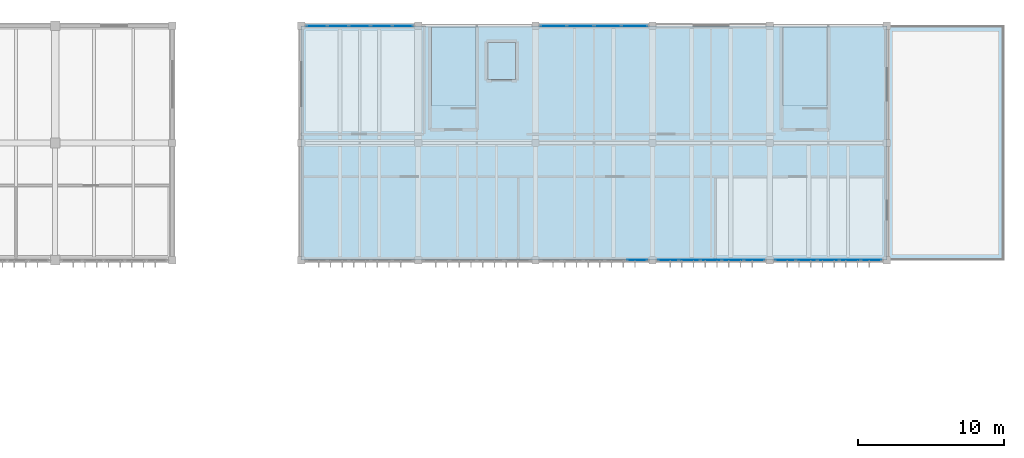
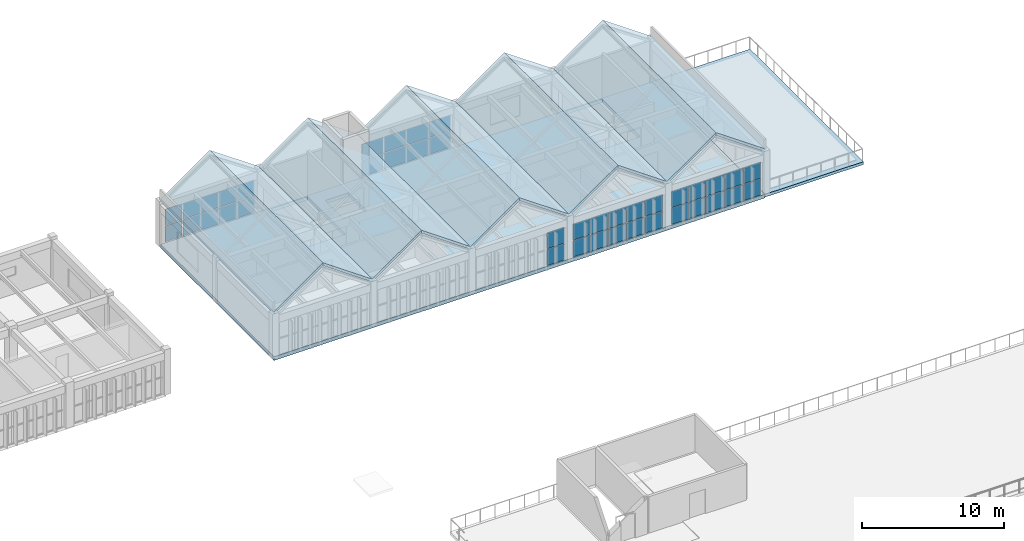
# One storey, part 18 of 31: 40 plates, 12 slabs, 5 elements without a shape of their own.
"""IFC4 building model written with IfcOpenShell, lengths in metres."""

import ifcopenshell
import ifcopenshell.guid

model = None  # the IFC model being written
_history = None  # IfcOwnerHistory: only IFC2X3 demands one
_inside = {}  # id of a spatial element -> (the spatial element, [elements in it])
_under = {}  # id of a project, library or spatial element -> (it, [spatial elements below it])
_declared = {}  # id of a project -> (the project, [libraries it declares])
_typed = {}  # id of a type object -> (the type object, [elements of that type])
_made_of = {}  # id of a material, layer set ... -> (it, [elements and type objects made of it])


def new_model(schema):
    """Start an empty IFC model of exactly this schema.

    Asked for "IFC4X3", IfcOpenShell would pick the latest addendum, in which some entities
    have other attributes; the version numbers below select the first issue.
    IFC2X3 requires an IfcOwnerHistory on every rooted entity: one is made here for all.
    """
    global model, _history
    if schema == "IFC4X3":
        model = ifcopenshell.file(schema_version=(4, 3, 0, 0))
    else:
        model = ifcopenshell.file(schema=schema)
    _inside.clear()
    _under.clear()
    _declared.clear()
    _typed.clear()
    _made_of.clear()
    _history = None
    if model.schema == "IFC2X3":
        org = make("IfcOrganization", Name="unknown")
        user = make(
            "IfcPersonAndOrganization",
            ThePerson=make("IfcPerson", FamilyName="unknown"),
            TheOrganization=org,
        )
        app = make(
            "IfcApplication",
            ApplicationDeveloper=org,
            Version="unknown",
            ApplicationFullName="unknown",
            ApplicationIdentifier="unknown",
        )
        _history = make(
            "IfcOwnerHistory",
            OwningUser=user,
            OwningApplication=app,
            ChangeAction="ADDED",
            CreationDate=0,
        )
    return model


def make(cls, **values):
    """One entity of the class cls with the attributes given. An attribute that is None is left unset."""
    return model.create_entity(
        cls, **{name: value for name, value in values.items() if value is not None}
    )


def rooted(cls, **values):
    """An entity with a GlobalId (a new one), such as an element, a storey or a relation."""
    return make(cls, GlobalId=ifcopenshell.guid.new(), OwnerHistory=_history, **values)


def si_unit(unit_type, name, prefix=None):
    """IfcSIUnit, for example si_unit("LENGTHUNIT", "METRE", prefix="MILLI")."""
    return make("IfcSIUnit", UnitType=unit_type, Prefix=prefix, Name=name)


def assignment(units):
    """IfcUnitAssignment: the units of a project."""
    return None if units is None else make("IfcUnitAssignment", Units=units)


def point(xyz):
    """IfcCartesianPoint."""
    return None if xyz is None else make("IfcCartesianPoint", Coordinates=xyz)


def direction(xyz):
    """IfcDirection."""
    return None if xyz is None else make("IfcDirection", DirectionRatios=xyz)


def frame(location, z_axis=None, x_axis=None):
    """IfcAxis2Placement3D, a coordinate frame: its origin and axes. An axis left out is left unset."""
    return make(
        "IfcAxis2Placement3D",
        Location=point(location),
        Axis=direction(z_axis),
        RefDirection=direction(x_axis),
    )


def frame_2d(location, x_axis=None):
    """IfcAxis2Placement2D, a coordinate frame in the plane: its origin and x axis."""
    return make(
        "IfcAxis2Placement2D", Location=point(location), RefDirection=direction(x_axis)
    )


def origin():
    """The frame at (0, 0, 0) with its axes left unset."""
    return frame((0.0, 0.0, 0.0))


def origin_2d():
    """The frame at (0, 0) in the plane with its x axis left unset."""
    return frame_2d((0.0, 0.0))


def place(relative_to, where):
    """IfcLocalPlacement: puts the frame where relative to a parent placement (None: the world)."""
    return make(
        "IfcLocalPlacement", PlacementRelTo=relative_to, RelativePlacement=where
    )


def context(
    kind, dimensions, precision=None, world=None, true_north=None, identifier=None
):
    """IfcGeometricRepresentationContext, for example the 3D "Model" context."""
    return make(
        "IfcGeometricRepresentationContext",
        ContextIdentifier=identifier,
        ContextType=kind,
        CoordinateSpaceDimension=dimensions,
        Precision=precision,
        WorldCoordinateSystem=world,
        TrueNorth=true_north,
    )


def subcontext(parent, identifier, kind, view, scale=None):
    """IfcGeometricRepresentationSubContext, for example "Body" below "Model"."""
    return make(
        "IfcGeometricRepresentationSubContext",
        ContextIdentifier=identifier,
        ContextType=kind,
        ParentContext=parent,
        TargetScale=scale,
        TargetView=view,
    )


def project(units=None, contexts=None):
    """IfcProject with its units and contexts."""
    return rooted(
        "IfcProject",
        Name="project",
        RepresentationContexts=contexts,
        UnitsInContext=assignment(units),
    )


def spatial(cls, under=None, at=None, **own):
    """A site, building, storey or space (cls), placed at a placement, below another one or the project."""
    s = rooted(cls, ObjectPlacement=at, **own)
    if under is not None:
        _under.setdefault(under.id(), (under, []))[1].append(s)
    return s


def polyline(points):
    """IfcPolyline through the points."""
    return make("IfcPolyline", Points=[point(p) for p in points])


def profile(cls, at=None, kind="AREA", **sizes):
    """A parametric profile (cls). Its sizes go by their IFC names, for example OverallWidth=200.0."""
    return make(cls, ProfileType=kind, Position=at, **sizes)


def rectangle(**sizes):
    """IfcRectangleProfileDef."""
    return profile("IfcRectangleProfileDef", **sizes)


def outline(outer, holes=None, kind="AREA"):
    """IfcArbitraryClosedProfileDef: a profile drawn as a closed curve; with holes, ...WithVoids."""
    if holes is None:
        return make("IfcArbitraryClosedProfileDef", ProfileType=kind, OuterCurve=outer)
    return make(
        "IfcArbitraryProfileDefWithVoids",
        ProfileType=kind,
        OuterCurve=outer,
        InnerCurves=holes,
    )


def extrude(swept, where, along, depth):
    """IfcExtrudedAreaSolid: the profile swept, set in the frame where, extruded along a direction by depth."""
    return make(
        "IfcExtrudedAreaSolid",
        SweptArea=swept,
        Position=where,
        ExtrudedDirection=direction(along),
        Depth=depth,
    )


def shape(context_of_items, identifier, shape_type, items):
    """IfcShapeRepresentation: the items that make up one representation, for example the "Body"."""
    return make(
        "IfcShapeRepresentation",
        ContextOfItems=context_of_items,
        RepresentationIdentifier=identifier,
        RepresentationType=shape_type,
        Items=items,
    )


def material(Name=None, Category=None):
    """IfcMaterial."""
    return make("IfcMaterial", Name=Name, Category=Category)


def layer(
    of_material, thickness, ventilated=None, Name=None, Category=None, Priority=None
):
    """IfcMaterialLayer: one layer of a wall or slab, of a material (None: an air gap)."""
    return make(
        "IfcMaterialLayer",
        Material=of_material,
        LayerThickness=thickness,
        IsVentilated=ventilated,
        Name=Name,
        Category=Category,
        Priority=Priority,
    )


def layer_set(layers, Name=None):
    """IfcMaterialLayerSet."""
    return make("IfcMaterialLayerSet", MaterialLayers=layers, LayerSetName=Name)


def made_of(thing, what):
    """Note that an element or type object is made of a material, layer set ...; save() writes the relation."""
    if what is not None:
        _made_of.setdefault(what.id(), (what, []))[1].append(thing)
    return thing


def type_object(cls, material=None, **own):
    """A type object (cls), such as IfcWallType, which elements share."""
    return made_of(rooted(cls, **own), material)


def element(
    cls,
    number,
    at=None,
    inside=None,
    cuts=None,
    type_object=None,
    material=None,
    context=None,
    identifier="Body",
    shape_type=None,
    held_by="IfcProductDefinitionShape",
    body=None,
    shapes=None,
    **own,
):
    """One element of the class cls, such as IfcWall. Its Tag is "e" and its number.

    at: its placement. inside: the storey or other place that contains it. cuts: it is an
    opening in that element (IfcRelVoidsElement). A single representation is given by context,
    identifier, shape_type and body (its items); several are given by shapes. held_by: the class
    of the entity that holds the representations. save() writes the other relations.
    """
    e = rooted(cls, Tag="e%d" % number, ObjectPlacement=at, **own)
    if body is not None:
        shapes = [shape(context, identifier, shape_type, body)]
    if shapes is not None:
        e.Representation = make(held_by, Representations=shapes)
    if inside is not None:
        _inside.setdefault(inside.id(), (inside, []))[1].append(e)
    if cuts is not None:
        rooted(
            "IfcRelVoidsElement", RelatingBuildingElement=cuts, RelatedOpeningElement=e
        )
    if type_object is not None:
        _typed.setdefault(type_object.id(), (type_object, []))[1].append(e)
    return made_of(e, material)


def aggregate(whole, parts):
    """IfcRelAggregates: a whole, such as a stair, and the parts it consists of."""
    return rooted("IfcRelAggregates", RelatingObject=whole, RelatedObjects=parts)


def save(model, path):
    """Write the relations noted so far, then the file.

    IfcRelAggregates (storeys below a building ...), IfcRelContainedInSpatialStructure (elements
    in a storey), IfcRelDefinesByType, IfcRelAssociatesMaterial and IfcRelDeclares: one each for
    every whole, place, type object, material and project.
    """
    for whole, parts in _under.values():
        aggregate(whole, parts)
    for where, things in _inside.values():
        rooted(
            "IfcRelContainedInSpatialStructure",
            RelatedElements=things,
            RelatingStructure=where,
        )
    for kind, things in _typed.values():
        rooted("IfcRelDefinesByType", RelatedObjects=things, RelatingType=kind)
    for what, things in _made_of.values():
        rooted("IfcRelAssociatesMaterial", RelatedObjects=things, RelatingMaterial=what)
    for by, libraries in _declared.values():
        rooted("IfcRelDeclares", RelatingContext=by, RelatedDefinitions=libraries)
    model.write(path)


model = new_model("IFC4")

# Units and contexts
model_context = context("Model", 3, precision=1e-05, world=origin(), true_north=direction((0.0, 1.0)))
body_context = subcontext(model_context, "Body", "Model", "MODEL_VIEW")
ifc_project = project(units=[si_unit("LENGTHUNIT", "METRE"), si_unit("AREAUNIT", "SQUARE_METRE"), si_unit("VOLUMEUNIT", "CUBIC_METRE"), si_unit("PLANEANGLEUNIT", "RADIAN"), si_unit("MASSUNIT", "GRAM", prefix="KILO")], contexts=[model_context])

# Site, building, storey
site_placement = place(None, origin())
site = spatial("IfcSite", under=ifc_project, at=site_placement, CompositionType="ELEMENT")
building_placement = place(site_placement, origin())
building = spatial("IfcBuilding", under=site, at=building_placement, Name="Tlaxcora Railside Police Headquarters", CompositionType="ELEMENT")
storey_placement = place(building_placement, frame((0.0, 0.0, 18.0)))
storey = spatial("IfcBuildingStorey", under=building, at=storey_placement, Name="L04", CompositionType="ELEMENT", Elevation=18.0)

# Curtain wall, plates
ifc_material_1 = material(Name="Thermally broken low-E insulated glazing", Category="glass")
curtain_wall_type_1 = type_object("IfcCurtainWallType", Name="Unitised Curtain Wall Assembly CW-23", PredefinedType="NOTDEFINED", material=ifc_material_1)
curtain_wall_1_placement = place(storey_placement, origin())
curtain_wall_1 = element("IfcCurtainWall", 1, at=curtain_wall_1_placement, inside=storey, type_object=curtain_wall_type_1, Name="V6 L04 curtain wall 172", PredefinedType="NOTDEFINED")
ifc_layer_1 = layer(ifc_material_1, 0.0400390625, Name="Thermally broken low-E insulated glazing")
ifc_layer_set_1 = layer_set([ifc_layer_1], Name="Thermally broken low-E insulated glazing")
plate_type_1 = type_object("IfcPlateType", Name="Curtain Wall Infill Panel CW-17", PredefinedType="CURTAIN_PANEL", material=ifc_layer_set_1)
plate_1_placement = place(storey_placement, frame((125.739990234375, 76.800048828125, 0.079833984375), z_axis=(0.0, 0.0, 1.0), x_axis=(1.0, 0.0, 0.0)))
plate_1 = element("IfcPlate", 2, at=plate_1_placement, type_object=plate_type_1, Name="CW panel 5.1", PredefinedType="CURTAIN_PANEL", context=body_context, shape_type="SweptSolid", body=[
    extrude(rectangle(XDim=1.360107421875, YDim=0.0400390625, at=origin_2d()), origin(), (0.0, 0.0, 1.0), 1.3701171875),
])
plate_2_placement = place(storey_placement, frame((125.739990234375, 76.800048828125, 1.530029296875), z_axis=(0.0, 0.0, 1.0), x_axis=(1.0, 0.0, 0.0)))
plate_2 = element("IfcPlate", 3, at=plate_2_placement, type_object=plate_type_1, Name="CW panel 5.2", PredefinedType="CURTAIN_PANEL", context=body_context, shape_type="SweptSolid", body=[
    extrude(rectangle(XDim=1.360107421875, YDim=0.0400390625, at=origin_2d()), origin(), (0.0, 0.0, 1.0), 1.35009765625),
])
aggregate(curtain_wall_1, [plate_1, plate_2])

curtain_wall_2_placement = place(storey_placement, origin())
curtain_wall_2 = element("IfcCurtainWall", 4, at=curtain_wall_2_placement, inside=storey, type_object=curtain_wall_type_1, Name="V6 L04 curtain wall 176", PredefinedType="NOTDEFINED")
plate_3_placement = place(storey_placement, frame((109.739990234375, 92.800048828125, 0.079833984375), z_axis=(0.0, 0.0, 1.0), x_axis=(-1.0, 0.0, 0.0)))
plate_3 = element("IfcPlate", 5, at=plate_3_placement, type_object=plate_type_1, Name="CW panel 1.1", PredefinedType="CURTAIN_PANEL", context=body_context, shape_type="SweptSolid", body=[
    extrude(rectangle(XDim=1.360107421875, YDim=0.0400390625, at=origin_2d()), origin(), (0.0, 0.0, 1.0), 1.3701171875),
])
plate_4_placement = place(storey_placement, frame((109.739990234375, 92.800048828125, 1.530029296875), z_axis=(0.0, 0.0, 1.0), x_axis=(-1.0, 0.0, 0.0)))
plate_4 = element("IfcPlate", 6, at=plate_4_placement, type_object=plate_type_1, Name="CW panel 1.2", PredefinedType="CURTAIN_PANEL", context=body_context, shape_type="SweptSolid", body=[
    extrude(rectangle(XDim=1.360107421875, YDim=0.0400390625, at=origin_2d()), origin(), (0.0, 0.0, 1.0), 1.35009765625),
])
plate_5_placement = place(storey_placement, frame((108.280029296875, 92.800048828125, 0.079833984375), z_axis=(0.0, 0.0, 1.0), x_axis=(-1.0, 0.0, 0.0)))
plate_5 = element("IfcPlate", 7, at=plate_5_placement, type_object=plate_type_1, Name="CW panel 2.1", PredefinedType="CURTAIN_PANEL", context=body_context, shape_type="SweptSolid", body=[
    extrude(rectangle(XDim=1.39990234375, YDim=0.0400390625, at=origin_2d()), origin(), (0.0, 0.0, 1.0), 1.3701171875),
])
plate_6_placement = place(storey_placement, frame((108.280029296875, 92.800048828125, 1.530029296875), z_axis=(0.0, 0.0, 1.0), x_axis=(-1.0, 0.0, 0.0)))
plate_6 = element("IfcPlate", 8, at=plate_6_placement, type_object=plate_type_1, Name="CW panel 2.2", PredefinedType="CURTAIN_PANEL", context=body_context, shape_type="SweptSolid", body=[
    extrude(rectangle(XDim=1.39990234375, YDim=0.0400390625, at=origin_2d()), origin(), (0.0, 0.0, 1.0), 1.35009765625),
])
plate_7_placement = place(storey_placement, frame((106.800048828125, 92.800048828125, 0.079833984375), z_axis=(0.0, 0.0, 1.0), x_axis=(-1.0, 0.0, 0.0)))
plate_7 = element("IfcPlate", 9, at=plate_7_placement, type_object=plate_type_1, Name="CW panel 3.1", PredefinedType="CURTAIN_PANEL", context=body_context, shape_type="SweptSolid", body=[
    extrude(rectangle(XDim=1.39990234375, YDim=0.0400390625, at=origin_2d()), origin(), (0.0, 0.0, 1.0), 1.3701171875),
])
plate_8_placement = place(storey_placement, frame((106.800048828125, 92.800048828125, 1.530029296875), z_axis=(0.0, 0.0, 1.0), x_axis=(-1.0, 0.0, 0.0)))
plate_8 = element("IfcPlate", 10, at=plate_8_placement, type_object=plate_type_1, Name="CW panel 3.2", PredefinedType="CURTAIN_PANEL", context=body_context, shape_type="SweptSolid", body=[
    extrude(rectangle(XDim=1.39990234375, YDim=0.0400390625, at=origin_2d()), origin(), (0.0, 0.0, 1.0), 1.35009765625),
])
plate_9_placement = place(storey_placement, frame((105.320068359375, 92.800048828125, 0.079833984375), z_axis=(0.0, 0.0, 1.0), x_axis=(-1.0, 0.0, 0.0)))
plate_9 = element("IfcPlate", 11, at=plate_9_placement, type_object=plate_type_1, Name="CW panel 4.1", PredefinedType="CURTAIN_PANEL", context=body_context, shape_type="SweptSolid", body=[
    extrude(rectangle(XDim=1.39990234375, YDim=0.0400390625, at=origin_2d()), origin(), (0.0, 0.0, 1.0), 1.3701171875),
])
plate_10_placement = place(storey_placement, frame((105.320068359375, 92.800048828125, 1.530029296875), z_axis=(0.0, 0.0, 1.0), x_axis=(-1.0, 0.0, 0.0)))
plate_10 = element("IfcPlate", 12, at=plate_10_placement, type_object=plate_type_1, Name="CW panel 4.2", PredefinedType="CURTAIN_PANEL", context=body_context, shape_type="SweptSolid", body=[
    extrude(rectangle(XDim=1.39990234375, YDim=0.0400390625, at=origin_2d()), origin(), (0.0, 0.0, 1.0), 1.35009765625),
])
plate_11_placement = place(storey_placement, frame((103.860107421875, 92.800048828125, 0.079833984375), z_axis=(0.0, 0.0, 1.0), x_axis=(-1.0, 0.0, 0.0)))
plate_11 = element("IfcPlate", 13, at=plate_11_placement, type_object=plate_type_1, Name="CW panel 5.1", PredefinedType="CURTAIN_PANEL", context=body_context, shape_type="SweptSolid", body=[
    extrude(rectangle(XDim=1.360107421875, YDim=0.0400390625, at=origin_2d()), origin(), (0.0, 0.0, 1.0), 1.3701171875),
])
plate_12_placement = place(storey_placement, frame((103.860107421875, 92.800048828125, 1.530029296875), z_axis=(0.0, 0.0, 1.0), x_axis=(-1.0, 0.0, 0.0)))
plate_12 = element("IfcPlate", 14, at=plate_12_placement, type_object=plate_type_1, Name="CW panel 5.2", PredefinedType="CURTAIN_PANEL", context=body_context, shape_type="SweptSolid", body=[
    extrude(rectangle(XDim=1.360107421875, YDim=0.0400390625, at=origin_2d()), origin(), (0.0, 0.0, 1.0), 1.35009765625),
])
aggregate(curtain_wall_2, [plate_3, plate_4, plate_5, plate_6, plate_7, plate_8, plate_9, plate_10, plate_11, plate_12])

curtain_wall_type_2 = type_object("IfcCurtainWallType", Name="Unitised Curtain Wall Assembly CW-15", PredefinedType="NOTDEFINED", material=ifc_material_1)
curtain_wall_3_placement = place(storey_placement, origin())
curtain_wall_3 = element("IfcCurtainWall", 15, at=curtain_wall_3_placement, inside=storey, type_object=curtain_wall_type_2, Name="V6 L04 curtain wall 174", PredefinedType="NOTDEFINED")
ifc_layer_2 = layer(ifc_material_1, 0.031982421875, Name="Thermally broken low-E insulated glazing")
ifc_layer_set_2 = layer_set([ifc_layer_2], Name="Thermally broken low-E insulated glazing")
plate_type_2 = type_object("IfcPlateType", Name="Curtain Wall Infill Panel CW-41", PredefinedType="CURTAIN_PANEL", material=ifc_layer_set_2)
plate_13_placement = place(storey_placement, frame((135.858642578125, 76.800048828125, 0.074951171875), z_axis=(0.0, 0.0, 1.0), x_axis=(1.0, 0.0, 0.0)))
plate_13 = element("IfcPlate", 16, at=plate_13_placement, type_object=plate_type_2, Name="CW panel 1.1", PredefinedType="CURTAIN_PANEL", context=body_context, shape_type="SweptSolid", body=[
    extrude(rectangle(XDim=1.367431640625, YDim=0.031982421875, at=origin_2d()), origin(), (0.0, 0.0, 1.0), 1.37744140625),
])
plate_14_placement = place(storey_placement, frame((135.858642578125, 76.800048828125, 1.527587890625), z_axis=(0.0, 0.0, 1.0), x_axis=(1.0, 0.0, 0.0)))
plate_14 = element("IfcPlate", 17, at=plate_14_placement, type_object=plate_type_2, Name="CW panel 1.2", PredefinedType="CURTAIN_PANEL", context=body_context, shape_type="SweptSolid", body=[
    extrude(rectangle(XDim=1.367431640625, YDim=0.031982421875, at=origin_2d()), origin(), (0.0, 0.0, 1.0), 1.357421875),
])
plate_15_placement = place(storey_placement, frame((137.320068359375, 76.800048828125, 0.074951171875), z_axis=(0.0, 0.0, 1.0), x_axis=(1.0, 0.0, 0.0)))
plate_15 = element("IfcPlate", 18, at=plate_15_placement, type_object=plate_type_2, Name="CW panel 2.1", PredefinedType="CURTAIN_PANEL", context=body_context, shape_type="SweptSolid", body=[
    extrude(rectangle(XDim=1.405029296875, YDim=0.031982421875, at=origin_2d()), origin(), (0.0, 0.0, 1.0), 1.37744140625),
])
plate_16_placement = place(storey_placement, frame((137.320068359375, 76.800048828125, 1.527587890625), z_axis=(0.0, 0.0, 1.0), x_axis=(1.0, 0.0, 0.0)))
plate_16 = element("IfcPlate", 19, at=plate_16_placement, type_object=plate_type_2, Name="CW panel 2.2", PredefinedType="CURTAIN_PANEL", context=body_context, shape_type="SweptSolid", body=[
    extrude(rectangle(XDim=1.405029296875, YDim=0.031982421875, at=origin_2d()), origin(), (0.0, 0.0, 1.0), 1.357421875),
])
plate_17_placement = place(storey_placement, frame((138.800048828125, 76.800048828125, 0.074951171875), z_axis=(0.0, 0.0, 1.0), x_axis=(1.0, 0.0, 0.0)))
plate_17 = element("IfcPlate", 20, at=plate_17_placement, type_object=plate_type_2, Name="CW panel 3.1", PredefinedType="CURTAIN_PANEL", context=body_context, shape_type="SweptSolid", body=[
    extrude(rectangle(XDim=1.405029296875, YDim=0.031982421875, at=origin_2d()), origin(), (0.0, 0.0, 1.0), 1.37744140625),
])
plate_18_placement = place(storey_placement, frame((138.800048828125, 76.800048828125, 1.527587890625), z_axis=(0.0, 0.0, 1.0), x_axis=(1.0, 0.0, 0.0)))
plate_18 = element("IfcPlate", 21, at=plate_18_placement, type_object=plate_type_2, Name="CW panel 3.2", PredefinedType="CURTAIN_PANEL", context=body_context, shape_type="SweptSolid", body=[
    extrude(rectangle(XDim=1.405029296875, YDim=0.031982421875, at=origin_2d()), origin(), (0.0, 0.0, 1.0), 1.357421875),
])
plate_19_placement = place(storey_placement, frame((140.280029296875, 76.800048828125, 0.074951171875), z_axis=(0.0, 0.0, 1.0), x_axis=(1.0, 0.0, 0.0)))
plate_19 = element("IfcPlate", 22, at=plate_19_placement, type_object=plate_type_2, Name="CW panel 4.1", PredefinedType="CURTAIN_PANEL", context=body_context, shape_type="SweptSolid", body=[
    extrude(rectangle(XDim=1.405029296875, YDim=0.031982421875, at=origin_2d()), origin(), (0.0, 0.0, 1.0), 1.37744140625),
])
plate_20_placement = place(storey_placement, frame((140.280029296875, 76.800048828125, 1.527587890625), z_axis=(0.0, 0.0, 1.0), x_axis=(1.0, 0.0, 0.0)))
plate_20 = element("IfcPlate", 23, at=plate_20_placement, type_object=plate_type_2, Name="CW panel 4.2", PredefinedType="CURTAIN_PANEL", context=body_context, shape_type="SweptSolid", body=[
    extrude(rectangle(XDim=1.405029296875, YDim=0.031982421875, at=origin_2d()), origin(), (0.0, 0.0, 1.0), 1.357421875),
])
plate_21_placement = place(storey_placement, frame((141.7412109375, 76.800048828125, 0.074951171875), z_axis=(0.0, 0.0, 1.0), x_axis=(1.0, 0.0, 0.0)))
plate_21 = element("IfcPlate", 24, at=plate_21_placement, type_object=plate_type_2, Name="CW panel 5.1", PredefinedType="CURTAIN_PANEL", context=body_context, shape_type="SweptSolid", body=[
    extrude(rectangle(XDim=1.367431640625, YDim=0.031982421875, at=origin_2d()), origin(), (0.0, 0.0, 1.0), 1.37744140625),
])
plate_22_placement = place(storey_placement, frame((141.7412109375, 76.800048828125, 1.527587890625), z_axis=(0.0, 0.0, 1.0), x_axis=(1.0, 0.0, 0.0)))
plate_22 = element("IfcPlate", 25, at=plate_22_placement, type_object=plate_type_2, Name="CW panel 5.2", PredefinedType="CURTAIN_PANEL", context=body_context, shape_type="SweptSolid", body=[
    extrude(rectangle(XDim=1.367431640625, YDim=0.031982421875, at=origin_2d()), origin(), (0.0, 0.0, 1.0), 1.357421875),
])
aggregate(curtain_wall_3, [plate_13, plate_14, plate_15, plate_16, plate_17, plate_18, plate_19, plate_20, plate_21, plate_22])

curtain_wall_type_3 = type_object("IfcCurtainWallType", Name="Unitised Curtain Wall Assembly CW-83", PredefinedType="NOTDEFINED", material=ifc_material_1)
curtain_wall_4_placement = place(storey_placement, origin())
curtain_wall_4 = element("IfcCurtainWall", 26, at=curtain_wall_4_placement, inside=storey, type_object=curtain_wall_type_3, Name="V6 L04 curtain wall 175", PredefinedType="NOTDEFINED")
ifc_layer_3 = layer(ifc_material_1, 0.035888671875, Name="Thermally broken low-E insulated glazing")
ifc_layer_set_3 = layer_set([ifc_layer_3], Name="Thermally broken low-E insulated glazing")
plate_type_3 = type_object("IfcPlateType", Name="Curtain Wall Infill Panel CW-72", PredefinedType="CURTAIN_PANEL", material=ifc_layer_set_3)
plate_23_placement = place(storey_placement, frame((125.554931640625, 92.800048828125, 0.079833984375), z_axis=(0.0, 0.0, 1.0), x_axis=(-1.0, 0.0, 0.0)))
plate_23 = element("IfcPlate", 27, at=plate_23_placement, type_object=plate_type_3, Name="CW panel 1.1", PredefinedType="CURTAIN_PANEL", context=body_context, shape_type="SweptSolid", body=[
    extrude(rectangle(XDim=1.72998046875, YDim=0.035888671875, at=origin_2d()), origin(), (0.0, 0.0, 1.0), 1.3701171875),
])
plate_24_placement = place(storey_placement, frame((125.554931640625, 92.800048828125, 1.530029296875), z_axis=(0.0, 0.0, 1.0), x_axis=(-1.0, 0.0, 0.0)))
plate_24 = element("IfcPlate", 28, at=plate_24_placement, type_object=plate_type_3, Name="CW panel 1.2", PredefinedType="CURTAIN_PANEL", context=body_context, shape_type="SweptSolid", body=[
    extrude(rectangle(XDim=1.72998046875, YDim=0.035888671875, at=origin_2d()), origin(), (0.0, 0.0, 1.0), 1.35009765625),
])
plate_25_placement = place(storey_placement, frame((123.72509765625, 92.800048828125, 0.079833984375), z_axis=(0.0, 0.0, 1.0), x_axis=(-1.0, 0.0, 0.0)))
plate_25 = element("IfcPlate", 29, at=plate_25_placement, type_object=plate_type_3, Name="CW panel 2.1", PredefinedType="CURTAIN_PANEL", context=body_context, shape_type="SweptSolid", body=[
    extrude(rectangle(XDim=1.77001953125, YDim=0.035888671875, at=origin_2d()), origin(), (0.0, 0.0, 1.0), 1.3701171875),
])
plate_26_placement = place(storey_placement, frame((123.72509765625, 92.800048828125, 1.530029296875), z_axis=(0.0, 0.0, 1.0), x_axis=(-1.0, 0.0, 0.0)))
plate_26 = element("IfcPlate", 30, at=plate_26_placement, type_object=plate_type_3, Name="CW panel 2.2", PredefinedType="CURTAIN_PANEL", context=body_context, shape_type="SweptSolid", body=[
    extrude(rectangle(XDim=1.77001953125, YDim=0.035888671875, at=origin_2d()), origin(), (0.0, 0.0, 1.0), 1.35009765625),
])
plate_27_placement = place(storey_placement, frame((121.875, 92.800048828125, 0.079833984375), z_axis=(0.0, 0.0, 1.0), x_axis=(-1.0, 0.0, 0.0)))
plate_27 = element("IfcPlate", 31, at=plate_27_placement, type_object=plate_type_3, Name="CW panel 3.1", PredefinedType="CURTAIN_PANEL", context=body_context, shape_type="SweptSolid", body=[
    extrude(rectangle(XDim=1.77001953125, YDim=0.035888671875, at=origin_2d()), origin(), (0.0, 0.0, 1.0), 1.3701171875),
])
plate_28_placement = place(storey_placement, frame((121.875, 92.800048828125, 1.530029296875), z_axis=(0.0, 0.0, 1.0), x_axis=(-1.0, 0.0, 0.0)))
plate_28 = element("IfcPlate", 32, at=plate_28_placement, type_object=plate_type_3, Name="CW panel 3.2", PredefinedType="CURTAIN_PANEL", context=body_context, shape_type="SweptSolid", body=[
    extrude(rectangle(XDim=1.77001953125, YDim=0.035888671875, at=origin_2d()), origin(), (0.0, 0.0, 1.0), 1.35009765625),
])
plate_29_placement = place(storey_placement, frame((120.044921875, 92.800048828125, 0.079833984375), z_axis=(0.0, 0.0, 1.0), x_axis=(-1.0, 0.0, 0.0)))
plate_29 = element("IfcPlate", 33, at=plate_29_placement, type_object=plate_type_3, Name="CW panel 4.1", PredefinedType="CURTAIN_PANEL", context=body_context, shape_type="SweptSolid", body=[
    extrude(rectangle(XDim=1.72998046875, YDim=0.035888671875, at=origin_2d()), origin(), (0.0, 0.0, 1.0), 1.3701171875),
])
plate_30_placement = place(storey_placement, frame((120.044921875, 92.800048828125, 1.530029296875), z_axis=(0.0, 0.0, 1.0), x_axis=(-1.0, 0.0, 0.0)))
plate_30 = element("IfcPlate", 34, at=plate_30_placement, type_object=plate_type_3, Name="CW panel 4.2", PredefinedType="CURTAIN_PANEL", context=body_context, shape_type="SweptSolid", body=[
    extrude(rectangle(XDim=1.72998046875, YDim=0.035888671875, at=origin_2d()), origin(), (0.0, 0.0, 1.0), 1.35009765625),
])
aggregate(curtain_wall_4, [plate_23, plate_24, plate_25, plate_26, plate_27, plate_28, plate_29, plate_30])

curtain_wall_type_4 = type_object("IfcCurtainWallType", Name="Unitised Curtain Wall Assembly CW-38", PredefinedType="NOTDEFINED", material=ifc_material_1)
curtain_wall_5_placement = place(storey_placement, origin())
curtain_wall_5 = element("IfcCurtainWall", 35, at=curtain_wall_5_placement, inside=storey, type_object=curtain_wall_type_4, Name="V6 L04 curtain wall 173", PredefinedType="NOTDEFINED")
ifc_layer_4 = layer(ifc_material_1, 0.028076171875, Name="Thermally broken low-E insulated glazing")
ifc_layer_set_4 = layer_set([ifc_layer_4], Name="Thermally broken low-E insulated glazing")
plate_type_4 = type_object("IfcPlateType", Name="Curtain Wall Infill Panel CW-92", PredefinedType="CURTAIN_PANEL", material=ifc_layer_set_4)
plate_31_placement = place(storey_placement, frame((127.858642578125, 76.800048828125, 0.074951171875), z_axis=(0.0, 0.0, 1.0), x_axis=(1.0, 0.0, 0.0)))
plate_31 = element("IfcPlate", 36, at=plate_31_placement, type_object=plate_type_4, Name="CW panel 1.1", PredefinedType="CURTAIN_PANEL", context=body_context, shape_type="SweptSolid", body=[
    extrude(rectangle(XDim=1.367431640625, YDim=0.028076171875, at=origin_2d()), origin(), (0.0, 0.0, 1.0), 1.37744140625),
])
plate_32_placement = place(storey_placement, frame((127.858642578125, 76.800048828125, 1.527587890625), z_axis=(0.0, 0.0, 1.0), x_axis=(1.0, 0.0, 0.0)))
plate_32 = element("IfcPlate", 37, at=plate_32_placement, type_object=plate_type_4, Name="CW panel 1.2", PredefinedType="CURTAIN_PANEL", context=body_context, shape_type="SweptSolid", body=[
    extrude(rectangle(XDim=1.367431640625, YDim=0.028076171875, at=origin_2d()), origin(), (0.0, 0.0, 1.0), 1.357421875),
])
plate_33_placement = place(storey_placement, frame((129.320068359375, 76.800048828125, 0.074951171875), z_axis=(0.0, 0.0, 1.0), x_axis=(1.0, 0.0, 0.0)))
plate_33 = element("IfcPlate", 38, at=plate_33_placement, type_object=plate_type_4, Name="CW panel 2.1", PredefinedType="CURTAIN_PANEL", context=body_context, shape_type="SweptSolid", body=[
    extrude(rectangle(XDim=1.405029296875, YDim=0.028076171875, at=origin_2d()), origin(), (0.0, 0.0, 1.0), 1.37744140625),
])
plate_34_placement = place(storey_placement, frame((129.320068359375, 76.800048828125, 1.527587890625), z_axis=(0.0, 0.0, 1.0), x_axis=(1.0, 0.0, 0.0)))
plate_34 = element("IfcPlate", 39, at=plate_34_placement, type_object=plate_type_4, Name="CW panel 2.2", PredefinedType="CURTAIN_PANEL", context=body_context, shape_type="SweptSolid", body=[
    extrude(rectangle(XDim=1.405029296875, YDim=0.028076171875, at=origin_2d()), origin(), (0.0, 0.0, 1.0), 1.357421875),
])
plate_35_placement = place(storey_placement, frame((130.800048828125, 76.800048828125, 0.074951171875), z_axis=(0.0, 0.0, 1.0), x_axis=(1.0, 0.0, 0.0)))
plate_35 = element("IfcPlate", 40, at=plate_35_placement, type_object=plate_type_4, Name="CW panel 3.1", PredefinedType="CURTAIN_PANEL", context=body_context, shape_type="SweptSolid", body=[
    extrude(rectangle(XDim=1.405029296875, YDim=0.028076171875, at=origin_2d()), origin(), (0.0, 0.0, 1.0), 1.37744140625),
])
plate_36_placement = place(storey_placement, frame((130.800048828125, 76.800048828125, 1.527587890625), z_axis=(0.0, 0.0, 1.0), x_axis=(1.0, 0.0, 0.0)))
plate_36 = element("IfcPlate", 41, at=plate_36_placement, type_object=plate_type_4, Name="CW panel 3.2", PredefinedType="CURTAIN_PANEL", context=body_context, shape_type="SweptSolid", body=[
    extrude(rectangle(XDim=1.405029296875, YDim=0.028076171875, at=origin_2d()), origin(), (0.0, 0.0, 1.0), 1.357421875),
])
plate_37_placement = place(storey_placement, frame((132.280029296875, 76.800048828125, 0.074951171875), z_axis=(0.0, 0.0, 1.0), x_axis=(1.0, 0.0, 0.0)))
plate_37 = element("IfcPlate", 42, at=plate_37_placement, type_object=plate_type_4, Name="CW panel 4.1", PredefinedType="CURTAIN_PANEL", context=body_context, shape_type="SweptSolid", body=[
    extrude(rectangle(XDim=1.405029296875, YDim=0.028076171875, at=origin_2d()), origin(), (0.0, 0.0, 1.0), 1.37744140625),
])
plate_38_placement = place(storey_placement, frame((132.280029296875, 76.800048828125, 1.527587890625), z_axis=(0.0, 0.0, 1.0), x_axis=(1.0, 0.0, 0.0)))
plate_38 = element("IfcPlate", 43, at=plate_38_placement, type_object=plate_type_4, Name="CW panel 4.2", PredefinedType="CURTAIN_PANEL", context=body_context, shape_type="SweptSolid", body=[
    extrude(rectangle(XDim=1.405029296875, YDim=0.028076171875, at=origin_2d()), origin(), (0.0, 0.0, 1.0), 1.357421875),
])
plate_39_placement = place(storey_placement, frame((133.7412109375, 76.800048828125, 0.074951171875), z_axis=(0.0, 0.0, 1.0), x_axis=(1.0, 0.0, 0.0)))
plate_39 = element("IfcPlate", 44, at=plate_39_placement, type_object=plate_type_4, Name="CW panel 5.1", PredefinedType="CURTAIN_PANEL", context=body_context, shape_type="SweptSolid", body=[
    extrude(rectangle(XDim=1.367431640625, YDim=0.028076171875, at=origin_2d()), origin(), (0.0, 0.0, 1.0), 1.37744140625),
])
plate_40_placement = place(storey_placement, frame((133.7412109375, 76.800048828125, 1.527587890625), z_axis=(0.0, 0.0, 1.0), x_axis=(1.0, 0.0, 0.0)))
plate_40 = element("IfcPlate", 45, at=plate_40_placement, type_object=plate_type_4, Name="CW panel 5.2", PredefinedType="CURTAIN_PANEL", context=body_context, shape_type="SweptSolid", body=[
    extrude(rectangle(XDim=1.367431640625, YDim=0.028076171875, at=origin_2d()), origin(), (0.0, 0.0, 1.0), 1.357421875),
])
aggregate(curtain_wall_5, [plate_31, plate_32, plate_33, plate_34, plate_35, plate_36, plate_37, plate_38, plate_39, plate_40])

# Slabs
ifc_material_2 = material(Name="Concrete C40/50", Category="concrete")
ifc_layer_5 = layer(ifc_material_2, 0.199951171875, Name="Concrete C40/50")
ifc_layer_set_5 = layer_set([ifc_layer_5], Name="Concrete C40/50")
slab_type_1 = type_object("IfcSlabType", Name="Folded or Flat Roof Slab SL-77", PredefinedType="ROOF", material=ifc_layer_set_5)
slab_1_placement = place(storey_placement, frame((102.800048828125, 92.800048828125, 0.0), z_axis=(0.0, -1.0, 0.0), x_axis=(1.0, 0.0, 0.0)))
element("IfcSlab", 46, at=slab_1_placement, inside=storey, type_object=slab_type_1, Name="Forensic northlight roof 1 west facet", PredefinedType="ROOF", context=body_context, shape_type="SweptSolid", body=[
    extrude(outline(polyline([(0.0, 3.65576171875), (4.0, 6.455810546875), (4.0, 6.699951171875), (0.0, 3.89990234375), (0.0, 3.65576171875)])), origin(), (0.0, 0.0, 1.0), 16.0),
])
slab_2_placement = place(storey_placement, frame((106.800048828125, 92.800048828125, 0.0), z_axis=(0.0, -1.0, 0.0), x_axis=(1.0, 0.0, 0.0)))
element("IfcSlab", 47, at=slab_2_placement, inside=storey, type_object=slab_type_1, Name="Forensic northlight roof 1 east facet", PredefinedType="ROOF", context=body_context, shape_type="SweptSolid", body=[
    extrude(outline(polyline([(0.0, 6.455810546875), (4.0, 3.65576171875), (4.0, 3.89990234375), (0.0, 6.699951171875), (0.0, 6.455810546875)])), origin(), (0.0, 0.0, 1.0), 16.0),
])
slab_3_placement = place(storey_placement, frame((110.800048828125, 92.800048828125, 0.0), z_axis=(0.0, -1.0, 0.0), x_axis=(1.0, 0.0, 0.0)))
element("IfcSlab", 48, at=slab_3_placement, inside=storey, type_object=slab_type_1, Name="Forensic northlight roof 2 west facet", PredefinedType="ROOF", context=body_context, shape_type="SweptSolid", body=[
    extrude(outline(polyline([(0.0, 3.65576171875), (4.0, 6.455810546875), (4.0, 6.699951171875), (0.0, 3.89990234375), (0.0, 3.65576171875)])), origin(), (0.0, 0.0, 1.0), 16.0),
])
slab_4_placement = place(storey_placement, frame((114.800048828125, 92.800048828125, 0.0), z_axis=(0.0, -1.0, 0.0), x_axis=(1.0, 0.0, 0.0)))
element("IfcSlab", 49, at=slab_4_placement, inside=storey, type_object=slab_type_1, Name="Forensic northlight roof 2 east facet", PredefinedType="ROOF", context=body_context, shape_type="SweptSolid", body=[
    extrude(outline(polyline([(0.0, 6.455810546875), (4.0, 3.65576171875), (4.0, 3.89990234375), (0.0, 6.699951171875), (0.0, 6.455810546875)])), origin(), (0.0, 0.0, 1.0), 16.0),
])
slab_5_placement = place(storey_placement, frame((118.800048828125, 92.800048828125, 0.0), z_axis=(0.0, -1.0, 0.0), x_axis=(1.0, 0.0, 0.0)))
element("IfcSlab", 50, at=slab_5_placement, inside=storey, type_object=slab_type_1, Name="Forensic northlight roof 3 west facet", PredefinedType="ROOF", context=body_context, shape_type="SweptSolid", body=[
    extrude(outline(polyline([(0.0, 3.65576171875), (4.0, 6.455810546875), (4.0, 6.699951171875), (0.0, 3.89990234375), (0.0, 3.65576171875)])), origin(), (0.0, 0.0, 1.0), 16.0),
])
slab_6_placement = place(storey_placement, frame((122.800048828125, 92.800048828125, 0.0), z_axis=(0.0, -1.0, 0.0), x_axis=(1.0, 0.0, 0.0)))
element("IfcSlab", 51, at=slab_6_placement, inside=storey, type_object=slab_type_1, Name="Forensic northlight roof 3 east facet", PredefinedType="ROOF", context=body_context, shape_type="SweptSolid", body=[
    extrude(outline(polyline([(0.0, 6.455810546875), (4.0, 3.65576171875), (4.0, 3.89990234375), (0.0, 6.699951171875), (0.0, 6.455810546875)])), origin(), (0.0, 0.0, 1.0), 16.0),
])
slab_7_placement = place(storey_placement, frame((126.800048828125, 92.800048828125, 0.0), z_axis=(0.0, -1.0, 0.0), x_axis=(1.0, 0.0, 0.0)))
element("IfcSlab", 52, at=slab_7_placement, inside=storey, type_object=slab_type_1, Name="Forensic northlight roof 4 west facet", PredefinedType="ROOF", context=body_context, shape_type="SweptSolid", body=[
    extrude(outline(polyline([(0.0, 3.65576171875), (4.0, 6.455810546875), (4.0, 6.699951171875), (0.0, 3.89990234375), (0.0, 3.65576171875)])), origin(), (0.0, 0.0, 1.0), 16.0),
])
slab_8_placement = place(storey_placement, frame((130.800048828125, 92.800048828125, 0.0), z_axis=(0.0, -1.0, 0.0), x_axis=(1.0, 0.0, 0.0)))
element("IfcSlab", 53, at=slab_8_placement, inside=storey, type_object=slab_type_1, Name="Forensic northlight roof 4 east facet", PredefinedType="ROOF", context=body_context, shape_type="SweptSolid", body=[
    extrude(outline(polyline([(0.0, 6.455810546875), (4.0, 3.65576171875), (4.0, 3.89990234375), (0.0, 6.699951171875), (0.0, 6.455810546875)])), origin(), (0.0, 0.0, 1.0), 16.0),
])
slab_9_placement = place(storey_placement, frame((134.800048828125, 92.800048828125, 0.0), z_axis=(0.0, -1.0, 0.0), x_axis=(1.0, 0.0, 0.0)))
element("IfcSlab", 54, at=slab_9_placement, inside=storey, type_object=slab_type_1, Name="Forensic northlight roof 5 west facet", PredefinedType="ROOF", context=body_context, shape_type="SweptSolid", body=[
    extrude(outline(polyline([(0.0, 3.65576171875), (4.0, 6.455810546875), (4.0, 6.699951171875), (0.0, 3.89990234375), (0.0, 3.65576171875)])), origin(), (0.0, 0.0, 1.0), 16.0),
])
slab_10_placement = place(storey_placement, frame((138.800048828125, 92.800048828125, 0.0), z_axis=(0.0, -1.0, 0.0), x_axis=(1.0, 0.0, 0.0)))
element("IfcSlab", 55, at=slab_10_placement, inside=storey, type_object=slab_type_1, Name="Forensic northlight roof 5 east facet", PredefinedType="ROOF", context=body_context, shape_type="SweptSolid", body=[
    extrude(outline(polyline([(0.0, 6.455810546875), (4.0, 3.65576171875), (4.0, 3.89990234375), (0.0, 6.699951171875), (0.0, 6.455810546875)])), origin(), (0.0, 0.0, 1.0), 16.0),
])
ifc_layer_6 = layer(ifc_material_2, 0.31005859375, Name="Concrete C40/50")
ifc_layer_set_6 = layer_set([ifc_layer_6], Name="Concrete C40/50")
slab_type_2 = type_object("IfcSlabType", Name="Suspended Floor Slab SL-37", PredefinedType="FLOOR", material=ifc_layer_set_6)
slab_11_placement = place(storey_placement, frame((0.0, 0.0, -0.31005859375)))
element("IfcSlab", 56, at=slab_11_placement, inside=storey, type_object=slab_type_2, Name="V6 L04 floor slab zone 1", PredefinedType="FLOOR", context=body_context, shape_type="SweptSolid", body=[
    extrude(outline(polyline([(142.800048828125, 92.800048828125), (102.800048828125, 92.800048828125), (102.800048828125, 76.800048828125), (142.800048828125, 76.800048828125), (142.800048828125, 92.800048828125)]), holes=[polyline([(111.7099609375, 92.68994140625), (114.7099609375, 92.68994140625), (114.7099609375, 87.35009765625), (111.7099609375, 87.35009765625), (111.7099609375, 92.68994140625)]), polyline([(117.449951171875, 91.64990234375), (117.449951171875, 89.14990234375), (115.550048828125, 89.14990234375), (115.550048828125, 91.64990234375), (117.449951171875, 91.64990234375)]), polyline([(138.7099609375, 87.35009765625), (135.7099609375, 87.35009765625), (135.7099609375, 92.68994140625), (138.7099609375, 92.68994140625), (138.7099609375, 87.35009765625)])]), origin(), (0.0, 0.0, 1.0), 0.31005859375),
])
ifc_layer_7 = layer(ifc_material_2, 0.2451171875, Name="Concrete C40/50")
ifc_layer_set_7 = layer_set([ifc_layer_7], Name="Concrete C40/50")
slab_type_3 = type_object("IfcSlabType", Name="Suspended Floor Slab SL-67", PredefinedType="FLOOR", material=ifc_layer_set_7)
slab_12_placement = place(storey_placement, frame((0.0, 0.0, -0.2451171875)))
element("IfcSlab", 57, at=slab_12_placement, inside=storey, type_object=slab_type_3, Name="V6 L04 planted terrace slab", PredefinedType="FLOOR", context=body_context, shape_type="SweptSolid", body=[
    extrude(outline(polyline([(150.800048828125, 76.800048828125), (150.800048828125, 92.800048828125), (142.800048828125, 92.800048828125), (142.800048828125, 76.800048828125), (150.800048828125, 76.800048828125)])), origin(), (0.0, 0.0, 1.0), 0.2451171875),
])

save(model, "model.ifc")
